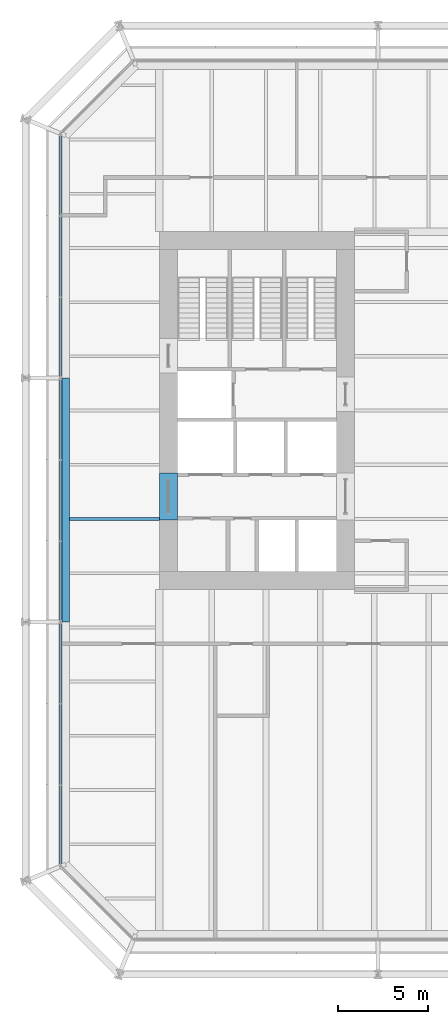
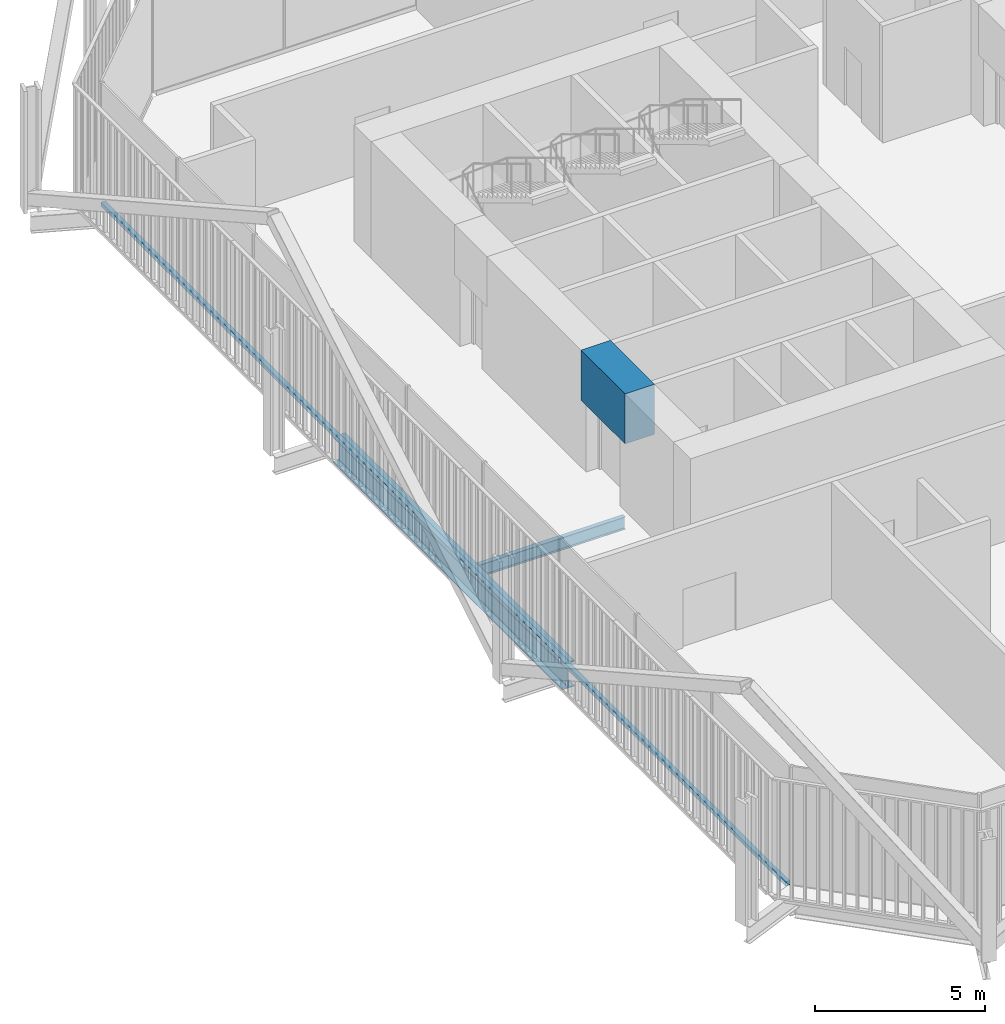
# One storey, part 6 of 21: 3 beams, 1 member, 1 element without a shape of its own.
"""IFC4 building model written with IfcOpenShell, lengths in metres."""

from ifc_helpers import new_model, si_unit, direction, frame, origin, origin_2d, place, context, subcontext, project, spatial, rectangle, i_section, extrude, material, layer, layer_set, material_profile, profile_set, type_object, element, aggregate, save


model = new_model("IFC4")

# Units and contexts
model_context = context("Model", 3, precision=1e-05, world=origin(), true_north=direction((0.0, 1.0)))
body_context = subcontext(model_context, "Body", "Model", "MODEL_VIEW")
ifc_project = project(units=[si_unit("LENGTHUNIT", "METRE"), si_unit("AREAUNIT", "SQUARE_METRE"), si_unit("VOLUMEUNIT", "CUBIC_METRE"), si_unit("PLANEANGLEUNIT", "RADIAN"), si_unit("MASSUNIT", "GRAM", prefix="KILO")], contexts=[model_context])

# Site, building, storey
site_placement = place(None, origin())
site = spatial("IfcSite", under=ifc_project, at=site_placement, CompositionType="ELEMENT")
building_placement = place(site_placement, origin())
building = spatial("IfcBuilding", under=site, at=building_placement, Name="Millrace Tower", CompositionType="ELEMENT")
storey_placement = place(building_placement, frame((0.0, 0.0, 82.0)))
storey = spatial("IfcBuildingStorey", under=building, at=storey_placement, Name="L18", CompositionType="ELEMENT", Elevation=82.0)

# Curtain wall, member
ifc_material_1 = material(Name="Aluminium and glass", Category="aluminium")
ifc_layer = layer(ifc_material_1, 0.14990234375)
ifc_layer_set = layer_set([ifc_layer], Name="Aluminium and glass")
curtain_wall_type = type_object("IfcCurtainWallType", Name="CW-3 telecom floor curtain wall", PredefinedType="NOTDEFINED", material=ifc_layer_set)
curtain_wall_placement = place(storey_placement, origin())
curtain_wall = element("IfcCurtainWall", 1, at=curtain_wall_placement, inside=storey, type_object=curtain_wall_type, Name="Curtain wall B-F08 L18", PredefinedType="NOTDEFINED")
ifc_material_2 = material(Name="Aluminium", Category="aluminium")
ifc_material_profile_1 = material_profile(ifc_material_2, rectangle(XDim=0.14990234375, YDim=0.14990234375, at=origin_2d()))
ifc_profile_set_1 = profile_set([ifc_material_profile_1], Name="Aluminium")
member_type = type_object("IfcMemberType", Name="CW-3 telecom floor curtain wall transom", PredefinedType="USERDEFINED", material=ifc_profile_set_1)
member_placement = place(storey_placement, frame((-20.375, 15.199951171875, 0.074951171875), z_axis=(0.0, -1.0, 0.0), x_axis=(1.0, 0.0, 0.0)))
member = element("IfcMember", 2, at=member_placement, type_object=member_type, Name="CW3 transom B-F08.1", ObjectType="TRANSOM", PredefinedType="USERDEFINED", context=body_context, shape_type="SweptSolid", body=[
    extrude(rectangle(XDim=0.14990234375, YDim=0.14990234375, at=origin_2d()), origin(), (0.0, 0.0, 1.0), 40.300048828125),
])
aggregate(curtain_wall, [member])

# Beams
ifc_material_3 = material(Name="Concrete C80", Category="concrete")
ifc_material_profile_2 = material_profile(ifc_material_3, rectangle(XDim=1.0, YDim=1.800048828125, at=origin_2d()))
ifc_profile_set_2 = profile_set([ifc_material_profile_2], Name="Concrete C80")
beam_type_1 = type_object("IfcBeamType", Name="Coupling beam 1000 x 1800 Concrete C80, 2000 opening", PredefinedType="BEAM", material=ifc_profile_set_2)
beam_1_placement = place(storey_placement, frame((-14.39990234375, -6.050048828125, 3.300048828125), z_axis=(0.0, 1.0, 0.0), x_axis=(-1.0, 0.0, 0.0)))
element("IfcBeam", 3, at=beam_1_placement, inside=storey, type_object=beam_type_1, Name="Coupling beam W L18", PredefinedType="BEAM", context=body_context, shape_type="SweptSolid", body=[
    extrude(rectangle(XDim=1.0, YDim=1.800048828125, at=origin_2d()), origin(), (0.0, 0.0, 1.0), 2.60009765625),
])
ifc_material_4 = material(Name="Steel ASTM A992 Grade 50", Category="steel")
ifc_material_profile_3 = material_profile(ifc_material_4, i_section(OverallWidth=0.15234375, OverallDepth=0.449462890625, WebThickness=0.007568359375, FlangeThickness=0.0107421875, FilletRadius=0.01025390625, at=origin_2d()))
ifc_profile_set_3 = profile_set([ifc_material_profile_3], Name="Steel ASTM A992 Grade 50")
beam_type_2 = type_object("IfcBeamType", Name="Floor beam W18x35", PredefinedType="JOIST", material=ifc_profile_set_3)
beam_2_placement = place(storey_placement, frame((-19.880859375, -6.0, -0.4248046875), z_axis=(1.0, 0.0, 0.0), x_axis=(0.0, 1.0, 0.0)))
element("IfcBeam", 4, at=beam_2_placement, inside=storey, type_object=beam_type_2, Name="BM-B-L18-S1-S017", PredefinedType="JOIST", context=body_context, shape_type="SweptSolid", body=[
    extrude(i_section(OverallWidth=0.15234375, OverallDepth=0.449462890625, WebThickness=0.007568359375, FlangeThickness=0.0107421875, FilletRadius=0.01025390625, at=origin_2d()), origin(), (0.0, 0.0, 1.0), 4.98095703125),
])
ifc_material_5 = material(Name="Steel ASTM A992 Grade 50", Category="steel")
ifc_material_profile_4 = material_profile(ifc_material_5, i_section(OverallWidth=0.419189453125, OverallDepth=0.927001953125, WebThickness=0.019287109375, FlangeThickness=0.031982421875, FilletRadius=0.024169921875, at=origin_2d()))
ifc_profile_set_4 = profile_set([ifc_material_profile_4], Name="Steel ASTM A992 Grade 50")
beam_type_3 = type_object("IfcBeamType", Name="Ring beam medium span W36x231", PredefinedType="SPANDREL", material=ifc_profile_set_4)
beam_3_placement = place(storey_placement, frame((-20.09033203125, -11.699951171875, -0.66357421875), z_axis=(0.0, 1.0, 0.0), x_axis=(-1.0, 0.0, 0.0)))
element("IfcBeam", 5, at=beam_3_placement, inside=storey, type_object=beam_type_3, Name="RNG-B-L18-S1-02", PredefinedType="SPANDREL", context=body_context, shape_type="SweptSolid", body=[
    extrude(i_section(OverallWidth=0.419189453125, OverallDepth=0.927001953125, WebThickness=0.019287109375, FlangeThickness=0.031982421875, FilletRadius=0.024169921875, at=origin_2d()), origin(), (0.0, 0.0, 1.0), 13.5),
])

save(model, "model.ifc")
